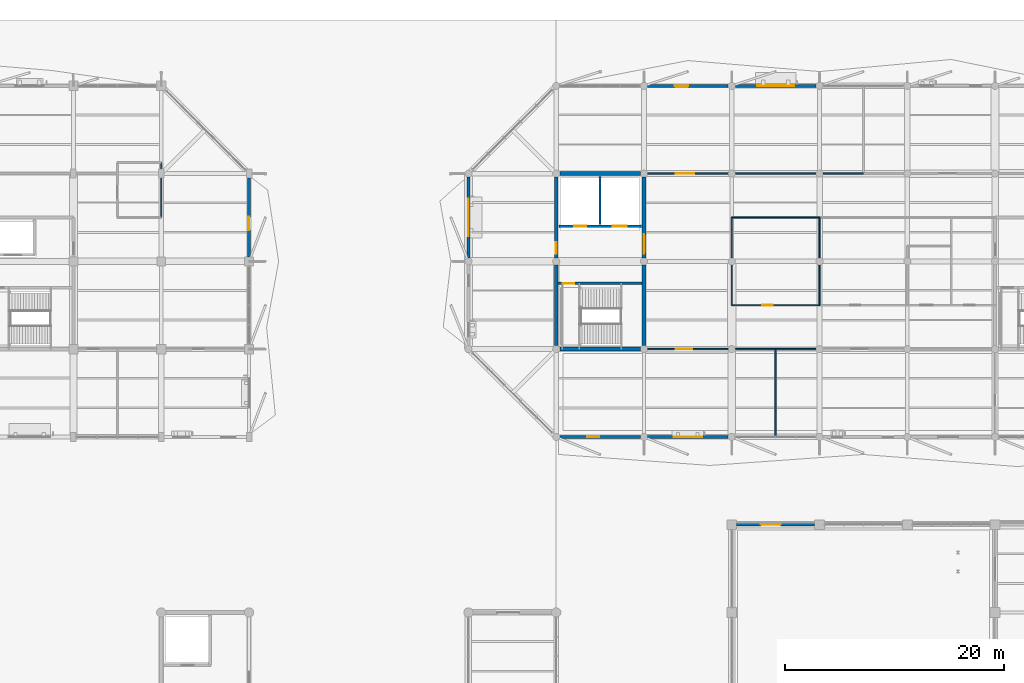
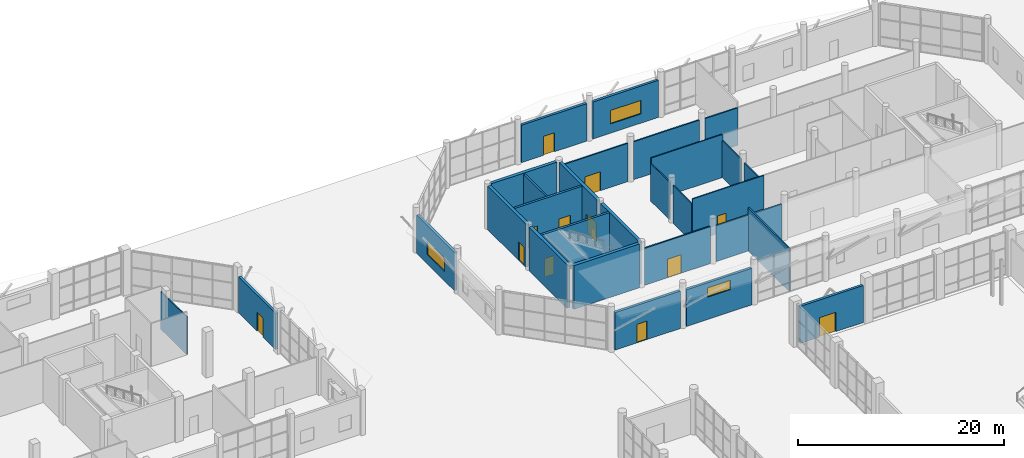
# One storey, part 102 of 123: 30 walls, 12 doors, 3 windows, 15 openings.
"""IFC4 building model written with IfcOpenShell, lengths in metres."""

from ifc_helpers import new_model, si_unit, direction, frame, frame_2d, origin, place, context, subcontext, project, spatial, rectangle, extrude, material, layer, layer_set, type_object, element, fill, save


model = new_model("IFC4")

# Units and contexts
model_context = context("Model", 3, precision=1e-05, world=origin(), true_north=direction((0.0, 1.0)))
body_context = subcontext(model_context, "Body", "Model", "MODEL_VIEW")
ifc_project = project(units=[si_unit("LENGTHUNIT", "METRE"), si_unit("AREAUNIT", "SQUARE_METRE"), si_unit("VOLUMEUNIT", "CUBIC_METRE"), si_unit("PLANEANGLEUNIT", "RADIAN"), si_unit("MASSUNIT", "GRAM", prefix="KILO")], contexts=[model_context])

# Site, building, storey
site_placement = place(None, origin())
site = spatial("IfcSite", under=ifc_project, at=site_placement, CompositionType="ELEMENT")
building_placement = place(site_placement, origin())
building = spatial("IfcBuilding", under=site, at=building_placement, Name="Tenunan Teduh Sports Hall", CompositionType="ELEMENT")
storey_placement = place(building_placement, origin())
storey = spatial("IfcBuildingStorey", under=building, at=storey_placement, Name="L00", CompositionType="ELEMENT", Elevation=0.0)

# Wall, opening, door
ifc_material_1 = material(Name="Concrete C40/50", Category="concrete")
ifc_layer_1 = layer(ifc_material_1, 0.25)
ifc_layer_set_1 = layer_set([ifc_layer_1], Name="Concrete C40/50")
wall_type_1 = type_object("IfcWallType", Name="WL-COR-250", PredefinedType="SOLIDWALL", material=ifc_layer_set_1)
wall_1_placement = place(storey_placement, frame((106.175048828125, 100.0, 0.0), z_axis=(0.0, 0.0, 1.0), x_axis=(1.0, 0.0, 0.0)))
wall_1 = element("IfcWall", 1, at=wall_1_placement, inside=storey, type_object=wall_type_1, Name="WL-COR-L00-169", PredefinedType="SOLIDWALL", context=body_context, shape_type="SweptSolid", body=[
    extrude(rectangle(XDim=7.64990234375, YDim=0.25, at=frame_2d((3.824951171875, 0.0))), origin(), (0.0, 0.0, 1.0), 5.179931640625),
])
opening_1_placement = place(wall_1_placement, frame((0.425048828125, 0.0, 0.0)))
opening_1 = element("IfcOpeningElement", 2, at=opening_1_placement, cuts=wall_1, Name="Opening FD-02", PredefinedType="OPENING", context=body_context, shape_type="SweptSolid", body=[
    extrude(rectangle(XDim=1.050048828125, YDim=2.199951171875, at=frame_2d((0.52490234375, 1.10009765625))), frame((0.0, 0.135009765625, 0.0), z_axis=(0.0, -1.0, 0.0), x_axis=(1.0, 0.0, 0.0)), (0.0, 0.0, 1.0), 0.27001953125),
])
ifc_material_2 = material(Name="Fire-rated steel leaf and frame", Category="steel")
door_type_1 = type_object("IfcDoorType", Name="FDR-02", OperationType="SINGLE_SWING_RIGHT", PredefinedType="DOOR", material=ifc_material_2)
door_1_placement = place(opening_1_placement, frame((1.050048828125, 0.0, 0.0), z_axis=(0.0, 0.0, 1.0), x_axis=(-1.0, 0.0, 0.0)))
door_1 = element("IfcDoor", 3, at=door_1_placement, inside=storey, type_object=door_type_1, Name="DR-INT-L00-065", OperationType="SINGLE_SWING_LEFT", OverallHeight=2.199951171875, OverallWidth=1.050048828125, PredefinedType="DOOR", context=body_context, shape_type="SweptSolid", body=[
    extrude(rectangle(XDim=1.050048828125, YDim=2.199951171875, at=frame_2d((0.52490234375, 1.10009765625))), frame((0.0, 0.02490234375, 0.0), z_axis=(0.0, -1.0, 0.0), x_axis=(1.0, 0.0, 0.0)), (0.0, 0.0, 1.0), 0.050048828125),
])
fill(opening_1, door_1)

# Wall, openings, doors
wall_2_placement = place(storey_placement, frame((106.25, 105.199951171875, 0.0), z_axis=(0.0, 0.0, 1.0), x_axis=(1.0, 0.0, 0.0)))
wall_2 = element("IfcWall", 4, at=wall_2_placement, inside=storey, type_object=wall_type_1, Name="WL-COR-L00-170", PredefinedType="SOLIDWALL", context=body_context, shape_type="SweptSolid", body=[
    extrude(rectangle(XDim=7.5, YDim=0.25, at=frame_2d((3.75, 0.0))), origin(), (0.0, 0.0, 1.0), 5.179931640625),
])
opening_2_placement = place(wall_2_placement, frame((1.39990234375, 0.0, 0.0)))
opening_2 = element("IfcOpeningElement", 5, at=opening_2_placement, cuts=wall_2, Name="Opening LD-1", PredefinedType="OPENING", context=body_context, shape_type="SweptSolid", body=[
    extrude(rectangle(XDim=1.10009765625, YDim=2.199951171875, at=frame_2d((0.550048828125, 1.10009765625))), frame((0.0, 0.135009765625, 0.0), z_axis=(0.0, -1.0, 0.0), x_axis=(1.0, 0.0, 0.0)), (0.0, 0.0, 1.0), 0.27001953125),
])
opening_3_placement = place(wall_2_placement, frame((4.89990234375, 0.0, 0.0)))
opening_3 = element("IfcOpeningElement", 6, at=opening_3_placement, cuts=wall_2, Name="Opening LD-2", PredefinedType="OPENING", context=body_context, shape_type="SweptSolid", body=[
    extrude(rectangle(XDim=1.300048828125, YDim=2.199951171875, at=frame_2d((0.64990234375, 1.10009765625))), frame((0.0, 0.135009765625, 0.0), z_axis=(0.0, -1.0, 0.0), x_axis=(1.0, 0.0, 0.0)), (0.0, 0.0, 1.0), 0.27001953125),
])
ifc_material_3 = material(Name="Brushed stainless steel landing doors", Category="steel")
door_type_2 = type_object("IfcDoorType", Name="LDR-01", OperationType="DOUBLE_DOOR_SLIDING", PredefinedType="DOOR", material=ifc_material_3)
door_2_placement = place(opening_2_placement, origin())
door_2 = element("IfcDoor", 7, at=door_2_placement, inside=storey, type_object=door_type_2, Name="Lift Landing Door LD-26", OperationType="DOUBLE_DOOR_SLIDING", OverallHeight=2.199951171875, OverallWidth=1.10009765625, PredefinedType="DOOR", context=body_context, shape_type="SweptSolid", body=[
    extrude(rectangle(XDim=1.10009765625, YDim=2.199951171875, at=frame_2d((0.550048828125, 1.10009765625))), frame((0.0, 0.02490234375, 0.0), z_axis=(0.0, -1.0, 0.0), x_axis=(1.0, 0.0, 0.0)), (0.0, 0.0, 1.0), 0.050048828125),
])
fill(opening_2, door_2)
ifc_material_4 = material(Name="Fire-fighting lift stainless landing doors")
door_type_3 = type_object("IfcDoorType", Name="LDR-02", OperationType="DOUBLE_DOOR_SLIDING", PredefinedType="DOOR", material=ifc_material_4)
door_3_placement = place(opening_3_placement, origin())
door_3 = element("IfcDoor", 8, at=door_3_placement, inside=storey, type_object=door_type_3, Name="Lift Landing Door LD-27", OperationType="DOUBLE_DOOR_SLIDING", OverallHeight=2.199951171875, OverallWidth=1.300048828125, PredefinedType="DOOR", context=body_context, shape_type="SweptSolid", body=[
    extrude(rectangle(XDim=1.300048828125, YDim=2.199951171875, at=frame_2d((0.64990234375, 1.10009765625))), frame((0.0, 0.02490234375, 0.0), z_axis=(0.0, -1.0, 0.0), x_axis=(1.0, 0.0, 0.0)), (0.0, 0.0, 1.0), 0.050048828125),
])
fill(opening_3, door_3)

# Wall, opening, door
ifc_material_5 = material(Name="Concrete C40/50", Category="concrete")
ifc_layer_2 = layer(ifc_material_5, 0.280029296875)
ifc_layer_set_2 = layer_set([ifc_layer_2], Name="Concrete C40/50")
wall_type_2 = type_object("IfcWallType", Name="WL-EXT-280", PredefinedType="SOLIDWALL", material=ifc_layer_set_2)
wall_3_placement = place(storey_placement, frame((122.449951171875, 78.0, 0.0), z_axis=(0.0, 0.0, 1.0), x_axis=(1.0, 0.0, 0.0)))
wall_3 = element("IfcWall", 9, at=wall_3_placement, inside=storey, type_object=wall_type_2, Name="WL-EXT-L00-118", PredefinedType="SOLIDWALL", context=body_context, shape_type="SweptSolid", body=[
    extrude(rectangle(XDim=7.10009765625, YDim=0.280029296875, at=frame_2d((3.550048828125, 0.0))), origin(), (0.0, 0.0, 1.0), 4.389892578125),
])
opening_4_placement = place(wall_3_placement, frame((2.199951171875, 0.0, 0.0)))
opening_4 = element("IfcOpeningElement", 10, at=opening_4_placement, cuts=wall_3, Name="Opening ED-02", PredefinedType="OPENING", context=body_context, shape_type="SweptSolid", body=[
    extrude(rectangle(XDim=1.800048828125, YDim=2.300048828125, at=frame_2d((0.89990234375, 1.14990234375))), frame((0.0, 0.14990234375, 0.0), z_axis=(0.0, -1.0, 0.0), x_axis=(1.0, 0.0, 0.0)), (0.0, 0.0, 1.0), 0.300048828125),
])
ifc_material_6 = material(Name="Powder-coated aluminium and laminated safety glass", Category="aluminium")
door_type_4 = type_object("IfcDoorType", Name="EDR-02", OperationType="DOUBLE_DOOR_SINGLE_SWING", PredefinedType="DOOR", material=ifc_material_6)
door_4_placement = place(opening_4_placement, origin())
door_4 = element("IfcDoor", 11, at=door_4_placement, inside=storey, type_object=door_type_4, Name="DR-EXT-L00-022", OperationType="DOUBLE_DOOR_SINGLE_SWING", OverallHeight=2.300048828125, OverallWidth=1.800048828125, PredefinedType="DOOR", context=body_context, shape_type="SweptSolid", body=[
    extrude(rectangle(XDim=1.800048828125, YDim=2.300048828125, at=frame_2d((0.89990234375, 1.14990234375))), frame((0.0, 0.02490234375, 0.0), z_axis=(0.0, -1.0, 0.0), x_axis=(1.0, 0.0, 0.0)), (0.0, 0.0, 1.0), 0.050048828125),
])
fill(opening_4, door_4)

wall_4_placement = place(storey_placement, frame((78.0, 102.39990234375, 0.0), z_axis=(0.0, 0.0, 1.0), x_axis=(0.0, 1.0, 0.0)))
wall_4 = element("IfcWall", 12, at=wall_4_placement, inside=storey, type_object=wall_type_2, Name="WL-EXT-L00-154", PredefinedType="SOLIDWALL", context=body_context, shape_type="SweptSolid", body=[
    extrude(rectangle(XDim=7.2001953125, YDim=0.280029296875, at=frame_2d((3.60009765625, 0.0))), origin(), (0.0, 0.0, 1.0), 4.2900390625),
])
opening_5_placement = place(wall_4_placement, frame((2.449951171875, 0.0, 0.0)))
opening_5 = element("IfcOpeningElement", 13, at=opening_5_placement, cuts=wall_4, Name="Opening ED-08", PredefinedType="OPENING", context=body_context, shape_type="SweptSolid", body=[
    extrude(rectangle(XDim=1.199951171875, YDim=2.25, at=frame_2d((0.60009765625, 1.125))), frame((0.0, 0.14990234375, 0.0), z_axis=(0.0, -1.0, 0.0), x_axis=(1.0, 0.0, 0.0)), (0.0, 0.0, 1.0), 0.300048828125),
])
ifc_material_7 = material(Name="Powder-coated aluminium and laminated safety glass", Category="aluminium")
door_type_5 = type_object("IfcDoorType", Name="EDR-08", OperationType="SINGLE_SWING_LEFT", PredefinedType="DOOR", material=ifc_material_7)
door_5_placement = place(opening_5_placement, origin())
door_5 = element("IfcDoor", 14, at=door_5_placement, inside=storey, type_object=door_type_5, Name="DR-EXT-L00-036", OperationType="SINGLE_SWING_LEFT", OverallHeight=2.25, OverallWidth=1.199951171875, PredefinedType="DOOR", context=body_context, shape_type="SweptSolid", body=[
    extrude(rectangle(XDim=1.199951171875, YDim=2.25, at=frame_2d((0.60009765625, 1.125))), frame((0.0, 0.02490234375, 0.0), z_axis=(0.0, -1.0, 0.0), x_axis=(1.0, 0.0, 0.0)), (0.0, 0.0, 1.0), 0.050048828125),
])
fill(opening_5, door_5)

wall_5_placement = place(storey_placement, frame((106.324951171875, 86.0, 0.0), z_axis=(0.0, 0.0, 1.0), x_axis=(1.0, 0.0, 0.0)))
wall_5 = element("IfcWall", 15, at=wall_5_placement, inside=storey, type_object=wall_type_2, Name="WL-EXT-L00-215", PredefinedType="SOLIDWALL", context=body_context, shape_type="SweptSolid", body=[
    extrude(rectangle(XDim=7.35009765625, YDim=0.280029296875, at=frame_2d((3.675048828125, 0.0))), origin(), (0.0, 0.0, 1.0), 4.43994140625),
])
opening_6_placement = place(wall_5_placement, frame((2.5, 0.0, 0.0)))
opening_6 = element("IfcOpeningElement", 16, at=opening_6_placement, cuts=wall_5, Name="Opening ED-03", PredefinedType="OPENING", context=body_context, shape_type="SweptSolid", body=[
    extrude(rectangle(XDim=1.10009765625, YDim=2.199951171875, at=frame_2d((0.550048828125, 1.10009765625))), frame((0.0, 0.14990234375, 0.0), z_axis=(0.0, -1.0, 0.0), x_axis=(1.0, 0.0, 0.0)), (0.0, 0.0, 1.0), 0.300048828125),
])
ifc_material_8 = material(Name="Powder-coated aluminium and laminated safety glass", Category="aluminium")
door_type_6 = type_object("IfcDoorType", Name="EDR-03", OperationType="SINGLE_SWING_LEFT", PredefinedType="DOOR", material=ifc_material_8)
door_6_placement = place(opening_6_placement, origin())
door_6 = element("IfcDoor", 17, at=door_6_placement, inside=storey, type_object=door_type_6, Name="DR-EXT-L00-041", OperationType="SINGLE_SWING_LEFT", OverallHeight=2.199951171875, OverallWidth=1.10009765625, PredefinedType="DOOR", context=body_context, shape_type="SweptSolid", body=[
    extrude(rectangle(XDim=1.10009765625, YDim=2.199951171875, at=frame_2d((0.550048828125, 1.10009765625))), frame((0.0, 0.02490234375, 0.0), z_axis=(0.0, -1.0, 0.0), x_axis=(1.0, 0.0, 0.0)), (0.0, 0.0, 1.0), 0.050048828125),
])
fill(opening_6, door_6)

# Wall, opening, window
wall_6_placement = place(storey_placement, frame((114.324951171875, 86.0, 0.0), z_axis=(0.0, 0.0, 1.0), x_axis=(1.0, 0.0, 0.0)))
wall_6 = element("IfcWall", 18, at=wall_6_placement, inside=storey, type_object=wall_type_2, Name="WL-EXT-L00-216", PredefinedType="SOLIDWALL", context=body_context, shape_type="SweptSolid", body=[
    extrude(rectangle(XDim=7.35009765625, YDim=0.280029296875, at=frame_2d((3.675048828125, 0.0))), origin(), (0.0, 0.0, 1.0), 4.340087890625),
])
opening_7_placement = place(wall_6_placement, frame((2.3701171875, 0.0, 2.64990234375)))
opening_7 = element("IfcOpeningElement", 19, at=opening_7_placement, cuts=wall_6, Name="Opening W-16", PredefinedType="OPENING", context=body_context, shape_type="SweptSolid", body=[
    extrude(rectangle(XDim=2.60009765625, YDim=1.10009765625, at=frame_2d((1.300048828125, 0.550048828125))), frame((0.0, 0.14990234375, 0.0), z_axis=(0.0, -1.0, 0.0), x_axis=(1.0, 0.0, 0.0)), (0.0, 0.0, 1.0), 0.300048828125),
])
ifc_material_9 = material(Name="Thermally broken aluminium and Low-E glazing", Category="aluminium")
window_type_1 = type_object("IfcWindowType", Name="WIN-16", PartitioningType="DOUBLE_PANEL_HORIZONTAL", PredefinedType="WINDOW", material=ifc_material_9)
window_1_placement = place(opening_7_placement, origin())
window_1 = element("IfcWindow", 20, at=window_1_placement, inside=storey, type_object=window_type_1, Name="WIN-L00-119", OverallHeight=1.10009765625, OverallWidth=2.60009765625, PartitioningType="SINGLE_PANEL", PredefinedType="WINDOW", context=body_context, shape_type="SweptSolid", body=[
    extrude(rectangle(XDim=2.60009765625, YDim=1.10009765625, at=frame_2d((1.300048828125, 0.550048828125))), frame((0.0, 0.030029296875, 0.0), z_axis=(0.0, -1.0, 0.0), x_axis=(1.0, 0.0, 0.0)), (0.0, 0.0, 1.0), 0.06005859375),
])
fill(opening_7, window_1)

# Wall, opening, door
wall_7_placement = place(storey_placement, frame((114.324951171875, 118.0, 0.0), z_axis=(0.0, 0.0, 1.0), x_axis=(1.0, 0.0, 0.0)))
wall_7 = element("IfcWall", 21, at=wall_7_placement, inside=storey, type_object=wall_type_2, Name="WL-EXT-L00-222", PredefinedType="SOLIDWALL", context=body_context, shape_type="SweptSolid", body=[
    extrude(rectangle(XDim=7.35009765625, YDim=0.280029296875, at=frame_2d((3.675048828125, 0.0))), origin(), (0.0, 0.0, 1.0), 4.43994140625),
])
opening_8_placement = place(wall_7_placement, frame((2.5, 0.0, 0.0)))
opening_8 = element("IfcOpeningElement", 22, at=opening_8_placement, cuts=wall_7, Name="Opening ED-08", PredefinedType="OPENING", context=body_context, shape_type="SweptSolid", body=[
    extrude(rectangle(XDim=1.199951171875, YDim=2.25, at=frame_2d((0.60009765625, 1.125))), frame((0.0, 0.14990234375, 0.0), z_axis=(0.0, -1.0, 0.0), x_axis=(1.0, 0.0, 0.0)), (0.0, 0.0, 1.0), 0.300048828125),
])
door_7_placement = place(opening_8_placement, origin())
door_7 = element("IfcDoor", 23, at=door_7_placement, inside=storey, type_object=door_type_5, Name="DR-EXT-L00-043", OperationType="SINGLE_SWING_LEFT", OverallHeight=2.25, OverallWidth=1.199951171875, PredefinedType="DOOR", context=body_context, shape_type="SweptSolid", body=[
    extrude(rectangle(XDim=1.199951171875, YDim=2.25, at=frame_2d((0.60009765625, 1.125))), frame((0.0, 0.02490234375, 0.0), z_axis=(0.0, -1.0, 0.0), x_axis=(1.0, 0.0, 0.0)), (0.0, 0.0, 1.0), 0.050048828125),
])
fill(opening_8, door_7)

# Wall, opening, window
wall_8_placement = place(storey_placement, frame((122.324951171875, 118.0, 0.0), z_axis=(0.0, 0.0, 1.0), x_axis=(1.0, 0.0, 0.0)))
wall_8 = element("IfcWall", 24, at=wall_8_placement, inside=storey, type_object=wall_type_2, Name="WL-EXT-L00-223", PredefinedType="SOLIDWALL", context=body_context, shape_type="SweptSolid", body=[
    extrude(rectangle(XDim=7.35009765625, YDim=0.280029296875, at=frame_2d((3.675048828125, 0.0))), origin(), (0.0, 0.0, 1.0), 4.389892578125),
])
opening_9_placement = place(wall_8_placement, frame((1.97998046875, 0.0, 1.10009765625)))
opening_9 = element("IfcOpeningElement", 25, at=opening_9_placement, cuts=wall_8, Name="Opening W-15", PredefinedType="OPENING", context=body_context, shape_type="SweptSolid", body=[
    extrude(rectangle(XDim=3.39990234375, YDim=1.60009765625, at=frame_2d((1.699951171875, 0.800048828125))), frame((0.0, 0.14990234375, 0.0), z_axis=(0.0, -1.0, 0.0), x_axis=(1.0, 0.0, 0.0)), (0.0, 0.0, 1.0), 0.300048828125),
])
ifc_material_10 = material(Name="Thermally broken aluminium and Low-E glazing", Category="aluminium")
window_type_2 = type_object("IfcWindowType", Name="WIN-15", PartitioningType="TRIPLE_PANEL_VERTICAL", PredefinedType="WINDOW", material=ifc_material_10)
window_2_placement = place(opening_9_placement, origin())
window_2 = element("IfcWindow", 26, at=window_2_placement, inside=storey, type_object=window_type_2, Name="WIN-L00-127", OverallHeight=1.60009765625, OverallWidth=3.39990234375, PartitioningType="SINGLE_PANEL", PredefinedType="WINDOW", context=body_context, shape_type="SweptSolid", body=[
    extrude(rectangle(XDim=3.39990234375, YDim=1.60009765625, at=frame_2d((1.699951171875, 0.800048828125))), frame((0.0, 0.030029296875, 0.0), z_axis=(0.0, -1.0, 0.0), x_axis=(1.0, 0.0, 0.0)), (0.0, 0.0, 1.0), 0.06005859375),
])
fill(opening_9, window_2)

wall_9_placement = place(storey_placement, frame((98.0, 102.324951171875, 0.0), z_axis=(0.0, 0.0, 1.0), x_axis=(0.0, 1.0, 0.0)))
wall_9 = element("IfcWall", 27, at=wall_9_placement, inside=storey, type_object=wall_type_2, Name="WL-EXT-L00-227", PredefinedType="SOLIDWALL", context=body_context, shape_type="SweptSolid", body=[
    extrude(rectangle(XDim=7.35009765625, YDim=0.280029296875, at=frame_2d((3.675048828125, 0.0))), origin(), (0.0, 0.0, 1.0), 4.5400390625),
])
opening_10_placement = place(wall_9_placement, frame((1.969970703125, 0.0, 1.10009765625)))
opening_10 = element("IfcOpeningElement", 28, at=opening_10_placement, cuts=wall_9, Name="Opening W-15", PredefinedType="OPENING", context=body_context, shape_type="SweptSolid", body=[
    extrude(rectangle(XDim=3.39990234375, YDim=1.60009765625, at=frame_2d((1.699951171875, 0.800048828125))), frame((0.0, 0.14990234375, 0.0), z_axis=(0.0, -1.0, 0.0), x_axis=(1.0, 0.0, 0.0)), (0.0, 0.0, 1.0), 0.300048828125),
])
window_3_placement = place(opening_10_placement, origin())
window_3 = element("IfcWindow", 29, at=window_3_placement, inside=storey, type_object=window_type_2, Name="WIN-L00-132", OverallHeight=1.60009765625, OverallWidth=3.39990234375, PartitioningType="SINGLE_PANEL", PredefinedType="WINDOW", context=body_context, shape_type="SweptSolid", body=[
    extrude(rectangle(XDim=3.39990234375, YDim=1.60009765625, at=frame_2d((1.699951171875, 0.800048828125))), frame((0.0, 0.030029296875, 0.0), z_axis=(0.0, -1.0, 0.0), x_axis=(1.0, 0.0, 0.0)), (0.0, 0.0, 1.0), 0.06005859375),
])
fill(opening_10, window_3)

# Wall
ifc_material_11 = material(Name="Moisture-resistant masonry", Category="masonry")
ifc_layer_3 = layer(ifc_material_11, 0.125)
ifc_layer_set_3 = layer_set([ifc_layer_3], Name="Moisture-resistant masonry")
wall_type_3 = type_object("IfcWallType", Name="WL-PRT-125", PredefinedType="PARTITIONING", material=ifc_layer_set_3)
wall_10_placement = place(storey_placement, frame((70.0, 106.0, 0.0), z_axis=(0.0, 0.0, 1.0), x_axis=(0.0, 1.0, 0.0)))
element("IfcWall", 30, at=wall_10_placement, inside=storey, type_object=wall_type_3, Name="WL-PRT-L00-329", PredefinedType="PARTITIONING", context=body_context, shape_type="SweptSolid", body=[
    extrude(rectangle(XDim=5.0, YDim=0.125, at=frame_2d((2.5, 0.0))), origin(), (0.0, 0.0, 1.0), 4.489990234375),
])

# Wall, opening, door
wall_11_placement = place(storey_placement, frame((122.0, 98.0, 0.0), z_axis=(0.0, 0.0, 1.0), x_axis=(1.0, 0.0, 0.0)))
wall_11 = element("IfcWall", 31, at=wall_11_placement, inside=storey, type_object=wall_type_3, Name="WL-PRT-L00-340", PredefinedType="PARTITIONING", context=body_context, shape_type="SweptSolid", body=[
    extrude(rectangle(XDim=8.0, YDim=0.125, at=frame_2d((4.0, 0.0))), origin(), (0.0, 0.0, 1.0), 5.10009765625),
])
opening_11_placement = place(wall_11_placement, frame((2.800048828125, 0.0, 0.0)))
opening_11 = element("IfcOpeningElement", 32, at=opening_11_placement, cuts=wall_11, Name="Opening ID-01", PredefinedType="OPENING", context=body_context, shape_type="SweptSolid", body=[
    extrude(rectangle(XDim=0.949951171875, YDim=2.10009765625, at=frame_2d((0.47509765625, 1.050048828125))), frame((0.0, 0.072509765625, 0.0), z_axis=(0.0, -1.0, 0.0), x_axis=(1.0, 0.0, 0.0)), (0.0, 0.0, 1.0), 0.14501953125),
])
ifc_material_12 = material(Name="Solid-core laminate timber", Category="wood")
door_type_7 = type_object("IfcDoorType", Name="IDR-01", OperationType="SINGLE_SWING_LEFT", PredefinedType="DOOR", material=ifc_material_12)
door_8_placement = place(opening_11_placement, frame((0.949951171875, 0.0, 0.0), z_axis=(0.0, 0.0, 1.0), x_axis=(-1.0, 0.0, 0.0)))
door_8 = element("IfcDoor", 33, at=door_8_placement, inside=storey, type_object=door_type_7, Name="DR-INT-L00-130", OperationType="SINGLE_SWING_LEFT", OverallHeight=2.10009765625, OverallWidth=0.949951171875, PredefinedType="DOOR", context=body_context, shape_type="SweptSolid", body=[
    extrude(rectangle(XDim=0.949951171875, YDim=2.10009765625, at=frame_2d((0.47509765625, 1.050048828125))), frame((0.0, 0.02490234375, 0.0), z_axis=(0.0, -1.0, 0.0), x_axis=(1.0, 0.0, 0.0)), (0.0, 0.0, 1.0), 0.050048828125),
])
fill(opening_11, door_8)

# Walls
wall_12_placement = place(storey_placement, frame((122.0, 98.0, 0.0), z_axis=(0.0, 0.0, 1.0), x_axis=(0.0, 1.0, 0.0)))
element("IfcWall", 34, at=wall_12_placement, inside=storey, type_object=wall_type_3, Name="WL-PRT-L00-344", PredefinedType="PARTITIONING", context=body_context, shape_type="SweptSolid", body=[
    extrude(rectangle(XDim=3.675048828125, YDim=0.125, at=frame_2d((1.83740234375, 0.0))), origin(), (0.0, 0.0, 1.0), 4.489990234375),
])
wall_13_placement = place(storey_placement, frame((122.0, 102.324951171875, 0.0), z_axis=(0.0, 0.0, 1.0), x_axis=(0.0, 1.0, 0.0)))
element("IfcWall", 35, at=wall_13_placement, inside=storey, type_object=wall_type_3, Name="WL-PRT-L00-345", PredefinedType="PARTITIONING", context=body_context, shape_type="SweptSolid", body=[
    extrude(rectangle(XDim=3.675048828125, YDim=0.125, at=frame_2d((1.83740234375, 0.0))), origin(), (0.0, 0.0, 1.0), 4.43994140625),
])
wall_14_placement = place(storey_placement, frame((130.0, 98.0, 0.0), z_axis=(0.0, 0.0, 1.0), x_axis=(0.0, 1.0, 0.0)))
element("IfcWall", 36, at=wall_14_placement, inside=storey, type_object=wall_type_3, Name="WL-PRT-L00-346", PredefinedType="PARTITIONING", context=body_context, shape_type="SweptSolid", body=[
    extrude(rectangle(XDim=3.675048828125, YDim=0.125, at=frame_2d((1.83740234375, 0.0))), origin(), (0.0, 0.0, 1.0), 4.340087890625),
])
wall_15_placement = place(storey_placement, frame((130.0, 102.324951171875, 0.0), z_axis=(0.0, 0.0, 1.0), x_axis=(0.0, 1.0, 0.0)))
element("IfcWall", 37, at=wall_15_placement, inside=storey, type_object=wall_type_3, Name="WL-PRT-L00-347", PredefinedType="PARTITIONING", context=body_context, shape_type="SweptSolid", body=[
    extrude(rectangle(XDim=3.675048828125, YDim=0.125, at=frame_2d((1.83740234375, 0.0))), origin(), (0.0, 0.0, 1.0), 4.419921875),
])
wall_16_placement = place(storey_placement, frame((122.0, 106.0, 0.0), z_axis=(0.0, 0.0, 1.0), x_axis=(1.0, 0.0, 0.0)))
element("IfcWall", 38, at=wall_16_placement, inside=storey, type_object=wall_type_3, Name="WL-PRT-L00-351", PredefinedType="PARTITIONING", context=body_context, shape_type="SweptSolid", body=[
    extrude(rectangle(XDim=8.0, YDim=0.125, at=frame_2d((4.0, 0.0))), origin(), (0.0, 0.0, 1.0), 5.10009765625),
])

# Wall, opening, door
ifc_material_13 = material(Name="Acoustic stud and double plasterboard")
ifc_layer_4 = layer(ifc_material_13, 0.14990234375)
ifc_layer_set_4 = layer_set([ifc_layer_4], Name="Acoustic stud and double plasterboard")
wall_type_4 = type_object("IfcWallType", Name="WL-PRT-150", PredefinedType="PARTITIONING", material=ifc_layer_set_4)
wall_17_placement = place(storey_placement, frame((114.324951171875, 94.0, 0.0), z_axis=(0.0, 0.0, 1.0), x_axis=(1.0, 0.0, 0.0)))
wall_17 = element("IfcWall", 39, at=wall_17_placement, inside=storey, type_object=wall_type_4, Name="WL-PRT-L00-332", PredefinedType="PARTITIONING", context=body_context, shape_type="SweptSolid", body=[
    extrude(rectangle(XDim=7.35009765625, YDim=0.14990234375, at=frame_2d((3.675048828125, 0.0))), origin(), (0.0, 0.0, 1.0), 4.389892578125),
])
opening_12_placement = place(wall_17_placement, frame((2.570068359375, 0.0, 0.0)))
opening_12 = element("IfcOpeningElement", 40, at=opening_12_placement, cuts=wall_17, Name="Opening ID-04", PredefinedType="OPENING", context=body_context, shape_type="SweptSolid", body=[
    extrude(rectangle(XDim=1.5, YDim=2.199951171875, at=frame_2d((0.75, 1.10009765625))), frame((0.0, 0.0849609375, 0.0), z_axis=(0.0, -1.0, 0.0), x_axis=(1.0, 0.0, 0.0)), (0.0, 0.0, 1.0), 0.169921875),
])
ifc_material_14 = material(Name="Acoustic studio timber pair", Category="wood")
door_type_8 = type_object("IfcDoorType", Name="IDR-04", OperationType="DOUBLE_DOOR_SINGLE_SWING", PredefinedType="DOOR", material=ifc_material_14)
door_9_placement = place(opening_12_placement, origin())
door_9 = element("IfcDoor", 41, at=door_9_placement, inside=storey, type_object=door_type_8, Name="DR-INT-L00-127", OperationType="DOUBLE_DOOR_SINGLE_SWING", OverallHeight=2.199951171875, OverallWidth=1.5, PredefinedType="DOOR", context=body_context, shape_type="SweptSolid", body=[
    extrude(rectangle(XDim=1.5, YDim=2.199951171875, at=frame_2d((0.75, 1.10009765625))), frame((0.0, 0.02490234375, 0.0), z_axis=(0.0, -1.0, 0.0), x_axis=(1.0, 0.0, 0.0)), (0.0, 0.0, 1.0), 0.050048828125),
])
fill(opening_12, door_9)

# Walls
for number, where, z_axis, x_axis, name in (
    (42, (122.324951171875, 94.0, 0.0), (0.0, 0.0, 1.0), (1.0, 0.0, 0.0), "WL-PRT-L00-333"),
    (43, (126.0, 94.0, 0.0), (0.0, 0.0, 1.0), (1.0, 0.0, 0.0), "WL-PRT-L00-334"),
):
    element("IfcWall", number, at=place(storey_placement, frame(where, z_axis=z_axis, x_axis=x_axis)), inside=storey, type_object=wall_type_4, Name=name, PredefinedType="PARTITIONING", context=body_context, shape_type="SweptSolid", body=[
        extrude(rectangle(XDim=3.675048828125, YDim=0.14990234375, at=frame_2d((1.83740234375, 0.0))), origin(), (0.0, 0.0, 1.0), 4.239990234375),
    ])
wall_18_placement = place(storey_placement, frame((126.0, 86.0, 0.0), z_axis=(0.0, 0.0, 1.0), x_axis=(0.0, 1.0, 0.0)))
element("IfcWall", 44, at=wall_18_placement, inside=storey, type_object=wall_type_4, Name="WL-PRT-L00-338", PredefinedType="PARTITIONING", context=body_context, shape_type="SweptSolid", body=[
    extrude(rectangle(XDim=8.0, YDim=0.14990234375, at=frame_2d((4.0, 0.0))), origin(), (0.0, 0.0, 1.0), 5.10009765625),
])

# Wall, opening, door
wall_19_placement = place(storey_placement, frame((114.324951171875, 110.0, 0.0), z_axis=(0.0, 0.0, 1.0), x_axis=(1.0, 0.0, 0.0)))
wall_19 = element("IfcWall", 45, at=wall_19_placement, inside=storey, type_object=wall_type_4, Name="WL-PRT-L00-354", PredefinedType="PARTITIONING", context=body_context, shape_type="SweptSolid", body=[
    extrude(rectangle(XDim=7.35009765625, YDim=0.14990234375, at=frame_2d((3.675048828125, 0.0))), origin(), (0.0, 0.0, 1.0), 4.5400390625),
])
opening_13_placement = place(wall_19_placement, frame((2.570068359375, 0.0, 0.0)))
opening_13 = element("IfcOpeningElement", 46, at=opening_13_placement, cuts=wall_19, Name="Opening ID-05", PredefinedType="OPENING", context=body_context, shape_type="SweptSolid", body=[
    extrude(rectangle(XDim=1.699951171875, YDim=2.25, at=frame_2d((0.85009765625, 1.125))), frame((0.0, 0.0849609375, 0.0), z_axis=(0.0, -1.0, 0.0), x_axis=(1.0, 0.0, 0.0)), (0.0, 0.0, 1.0), 0.169921875),
])
ifc_material_15 = material(Name="Glazed concourse pair")
door_type_9 = type_object("IfcDoorType", Name="IDR-05", OperationType="DOUBLE_DOOR_SINGLE_SWING", PredefinedType="DOOR", material=ifc_material_15)
door_10_placement = place(opening_13_placement, frame((1.699951171875, 0.0, 0.0), z_axis=(0.0, 0.0, 1.0), x_axis=(-1.0, 0.0, 0.0)))
door_10 = element("IfcDoor", 47, at=door_10_placement, inside=storey, type_object=door_type_9, Name="DR-INT-L00-134", OperationType="DOUBLE_DOOR_SINGLE_SWING", OverallHeight=2.25, OverallWidth=1.699951171875, PredefinedType="DOOR", context=body_context, shape_type="SweptSolid", body=[
    extrude(rectangle(XDim=1.699951171875, YDim=2.25, at=frame_2d((0.85009765625, 1.125))), frame((0.0, 0.02490234375, 0.0), z_axis=(0.0, -1.0, 0.0), x_axis=(1.0, 0.0, 0.0)), (0.0, 0.0, 1.0), 0.050048828125),
])
fill(opening_13, door_10)

# Walls
wall_20_placement = place(storey_placement, frame((122.324951171875, 110.0, 0.0), z_axis=(0.0, 0.0, 1.0), x_axis=(1.0, 0.0, 0.0)))
element("IfcWall", 48, at=wall_20_placement, inside=storey, type_object=wall_type_4, Name="WL-PRT-L00-355", PredefinedType="PARTITIONING", context=body_context, shape_type="SweptSolid", body=[
    extrude(rectangle(XDim=7.35009765625, YDim=0.14990234375, at=frame_2d((3.675048828125, 0.0))), origin(), (0.0, 0.0, 1.0), 4.489990234375),
])
wall_21_placement = place(storey_placement, frame((130.324951171875, 110.0, 0.0), z_axis=(0.0, 0.0, 1.0), x_axis=(1.0, 0.0, 0.0)))
element("IfcWall", 49, at=wall_21_placement, inside=storey, type_object=wall_type_4, Name="WL-PRT-L00-356", PredefinedType="PARTITIONING", context=body_context, shape_type="SweptSolid", body=[
    extrude(rectangle(XDim=3.675048828125, YDim=0.14990234375, at=frame_2d((1.83740234375, 0.0))), origin(), (0.0, 0.0, 1.0), 4.43994140625),
])
ifc_material_16 = material(Name="Autoclaved aerated concrete blockwork", Category="masonry")
ifc_layer_5 = layer(ifc_material_16, 0.199951171875)
ifc_layer_set_5 = layer_set([ifc_layer_5], Name="Autoclaved aerated concrete blockwork")
wall_type_5 = type_object("IfcWallType", Name="WL-PRT-200", PredefinedType="PARTITIONING", material=ifc_layer_set_5)
wall_22_placement = place(storey_placement, frame((110.0, 105.35009765625, 0.0), z_axis=(0.0, 0.0, 1.0), x_axis=(0.0, 1.0, 0.0)))
element("IfcWall", 50, at=wall_22_placement, inside=storey, type_object=wall_type_5, Name="WL-PRT-L00-171", PredefinedType="PARTITIONING", context=body_context, shape_type="SweptSolid", body=[
    extrude(rectangle(XDim=4.39990234375, YDim=0.199951171875, at=frame_2d((2.199951171875, 0.0))), origin(), (0.0, 0.0, 1.0), 5.10009765625),
])
ifc_material_17 = material(Name="Concrete C40/50", Category="concrete")
ifc_layer_6 = layer(ifc_material_17, 0.35009765625)
ifc_layer_set_6 = layer_set([ifc_layer_6], Name="Concrete C40/50")
wall_type_6 = type_object("IfcWallType", Name="WL-SHR-350", PredefinedType="SHEAR", material=ifc_layer_set_6)
for number, where, z_axis, x_axis, name in (
    (51, (106.324951171875, 94.0, 0.0), (0.0, 0.0, 1.0), (1.0, 0.0, 0.0), "WL-COR-L00-163"),
    (52, (106.324951171875, 110.0, 0.0), (0.0, 0.0, 1.0), (1.0, 0.0, 0.0), "WL-COR-L00-164"),
    (53, (106.0, 94.324951171875, 0.0), (0.0, 0.0, 1.0), (0.0, 1.0, 0.0), "WL-COR-L00-165"),
):
    element("IfcWall", number, at=place(storey_placement, frame(where, z_axis=z_axis, x_axis=x_axis)), inside=storey, type_object=wall_type_6, Name=name, PredefinedType="SHEAR", context=body_context, shape_type="SweptSolid", body=[
        extrude(rectangle(XDim=7.35009765625, YDim=0.35009765625, at=frame_2d((3.675048828125, 0.0))), origin(), (0.0, 0.0, 1.0), 5.179931640625),
    ])

# Wall, opening, door
wall_23_placement = place(storey_placement, frame((106.0, 102.324951171875, 0.0), z_axis=(0.0, 0.0, 1.0), x_axis=(0.0, 1.0, 0.0)))
wall_23 = element("IfcWall", 54, at=wall_23_placement, inside=storey, type_object=wall_type_6, Name="WL-COR-L00-166", PredefinedType="SHEAR", context=body_context, shape_type="SweptSolid", body=[
    extrude(rectangle(XDim=7.35009765625, YDim=0.35009765625, at=frame_2d((3.675048828125, 0.0))), origin(), (0.0, 0.0, 1.0), 5.179931640625),
])
opening_14_placement = place(wall_23_placement, frame((0.35009765625, 0.0, 0.0)))
opening_14 = element("IfcOpeningElement", 55, at=opening_14_placement, cuts=wall_23, Name="Opening FD-02", PredefinedType="OPENING", context=body_context, shape_type="SweptSolid", body=[
    extrude(rectangle(XDim=1.050048828125, YDim=2.199951171875, at=frame_2d((0.52490234375, 1.10009765625))), frame((0.0, 0.18505859375, 0.0), z_axis=(0.0, -1.0, 0.0), x_axis=(1.0, 0.0, 0.0)), (0.0, 0.0, 1.0), 0.3701171875),
])
door_11_placement = place(opening_14_placement, origin())
door_11 = element("IfcDoor", 56, at=door_11_placement, inside=storey, type_object=door_type_1, Name="DR-INT-L00-064", OperationType="SINGLE_SWING_RIGHT", OverallHeight=2.199951171875, OverallWidth=1.050048828125, PredefinedType="DOOR", context=body_context, shape_type="SweptSolid", body=[
    extrude(rectangle(XDim=1.050048828125, YDim=2.199951171875, at=frame_2d((0.52490234375, 1.10009765625))), frame((0.0, 0.02490234375, 0.0), z_axis=(0.0, -1.0, 0.0), x_axis=(1.0, 0.0, 0.0)), (0.0, 0.0, 1.0), 0.050048828125),
])
fill(opening_14, door_11)

# Wall
wall_24_placement = place(storey_placement, frame((114.0, 94.324951171875, 0.0), z_axis=(0.0, 0.0, 1.0), x_axis=(0.0, 1.0, 0.0)))
element("IfcWall", 57, at=wall_24_placement, inside=storey, type_object=wall_type_6, Name="WL-COR-L00-167", PredefinedType="SHEAR", context=body_context, shape_type="SweptSolid", body=[
    extrude(rectangle(XDim=7.35009765625, YDim=0.35009765625, at=frame_2d((3.675048828125, 0.0))), origin(), (0.0, 0.0, 1.0), 5.179931640625),
])

# Wall, opening, door
wall_25_placement = place(storey_placement, frame((114.0, 102.324951171875, 0.0), z_axis=(0.0, 0.0, 1.0), x_axis=(0.0, 1.0, 0.0)))
wall_25 = element("IfcWall", 58, at=wall_25_placement, inside=storey, type_object=wall_type_6, Name="WL-COR-L00-168", PredefinedType="SHEAR", context=body_context, shape_type="SweptSolid", body=[
    extrude(rectangle(XDim=7.35009765625, YDim=0.35009765625, at=frame_2d((3.675048828125, 0.0))), origin(), (0.0, 0.0, 1.0), 5.179931640625),
])
opening_15_placement = place(wall_25_placement, frame((0.35009765625, 0.0, 0.0)))
opening_15 = element("IfcOpeningElement", 59, at=opening_15_placement, cuts=wall_25, Name="Opening FD-03", PredefinedType="OPENING", context=body_context, shape_type="SweptSolid", body=[
    extrude(rectangle(XDim=1.800048828125, YDim=2.199951171875, at=frame_2d((0.89990234375, 1.10009765625))), frame((0.0, 0.18505859375, 0.0), z_axis=(0.0, -1.0, 0.0), x_axis=(1.0, 0.0, 0.0)), (0.0, 0.0, 1.0), 0.3701171875),
])
ifc_material_18 = material(Name="Fire-rated hardwood pair", Category="wood")
door_type_10 = type_object("IfcDoorType", Name="FDR-03", OperationType="DOUBLE_DOOR_SINGLE_SWING", PredefinedType="DOOR", material=ifc_material_18)
door_12_placement = place(opening_15_placement, frame((1.800048828125, 0.0, 0.0), z_axis=(0.0, 0.0, 1.0), x_axis=(-1.0, 0.0, 0.0)))
door_12 = element("IfcDoor", 60, at=door_12_placement, inside=storey, type_object=door_type_10, Name="DR-INT-L00-063", OperationType="DOUBLE_DOOR_SINGLE_SWING", OverallHeight=2.199951171875, OverallWidth=1.800048828125, PredefinedType="DOOR", context=body_context, shape_type="SweptSolid", body=[
    extrude(rectangle(XDim=1.800048828125, YDim=2.199951171875, at=frame_2d((0.89990234375, 1.10009765625))), frame((0.0, 0.02490234375, 0.0), z_axis=(0.0, -1.0, 0.0), x_axis=(1.0, 0.0, 0.0)), (0.0, 0.0, 1.0), 0.050048828125),
])
fill(opening_15, door_12)

save(model, "model.ifc")
